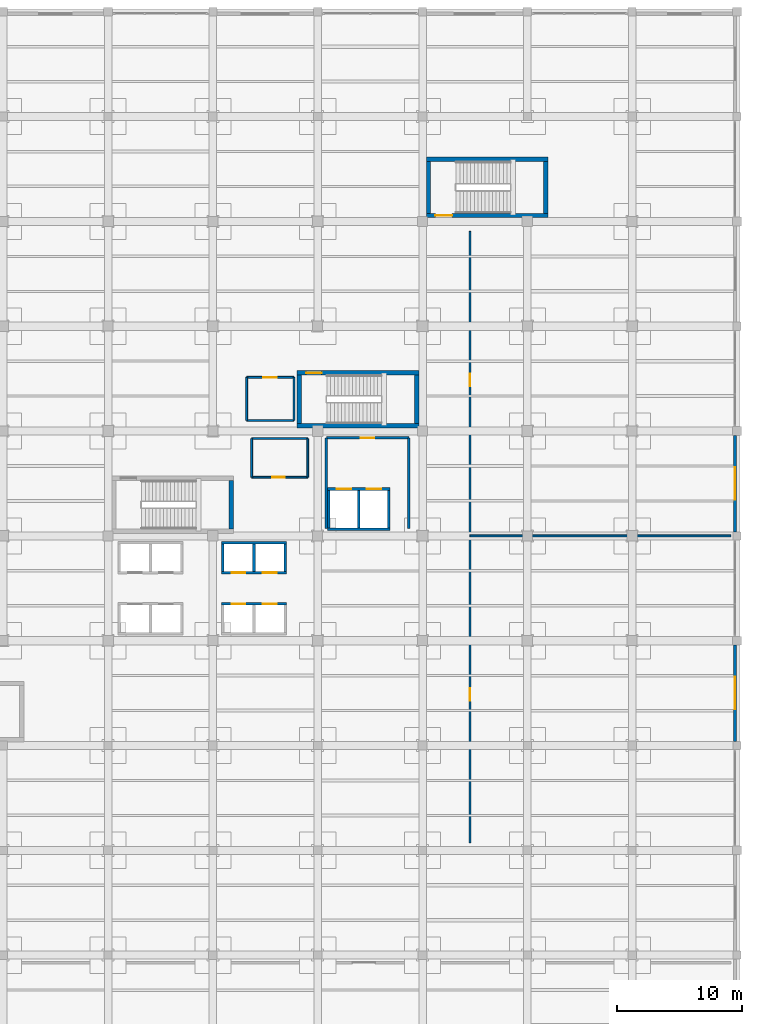
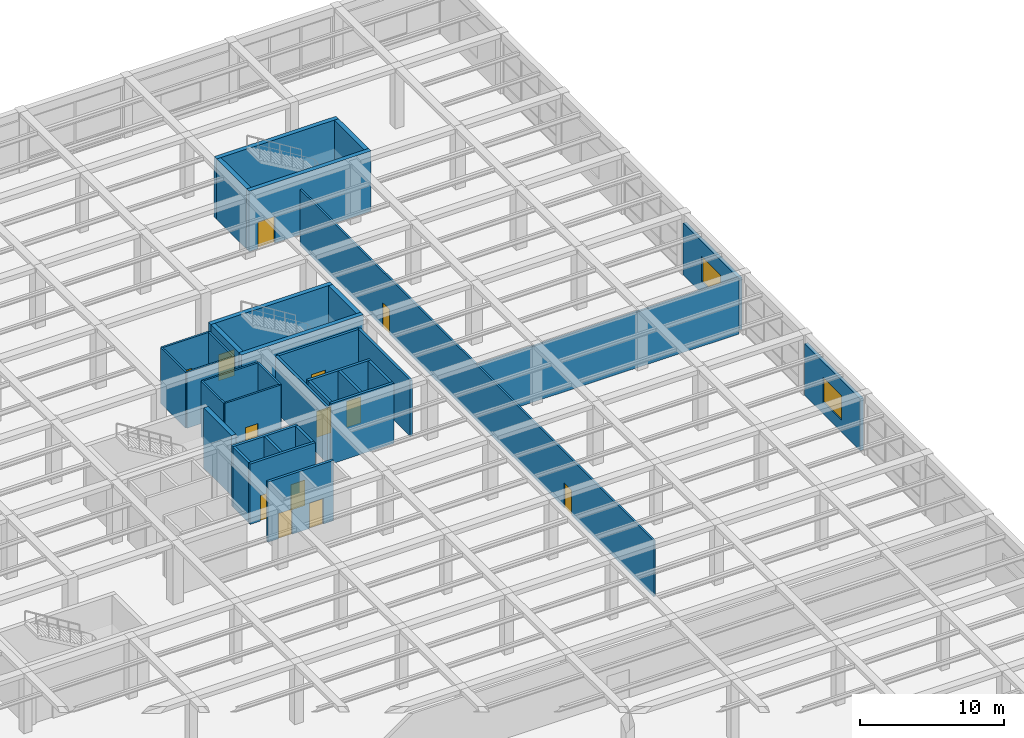
# One storey, part 82 of 95: 35 walls, 13 doors, 2 windows, 15 openings.
"""IFC4 building model written with IfcOpenShell, lengths in metres."""

from ifc_helpers import new_model, si_unit, direction, frame, frame_2d, origin, place, context, subcontext, project, spatial, rectangle, extrude, material, layer, layer_set, type_object, element, fill, save


model = new_model("IFC4")

# Units and contexts
model_context = context("Model", 3, precision=1e-05, world=origin(), true_north=direction((0.0, 1.0)))
body_context = subcontext(model_context, "Body", "Model", "MODEL_VIEW")
ifc_project = project(units=[si_unit("LENGTHUNIT", "METRE"), si_unit("AREAUNIT", "SQUARE_METRE"), si_unit("VOLUMEUNIT", "CUBIC_METRE"), si_unit("PLANEANGLEUNIT", "RADIAN"), si_unit("MASSUNIT", "GRAM", prefix="KILO")], contexts=[model_context])

# Site, building, storey
site_placement = place(None, origin())
site = spatial("IfcSite", under=ifc_project, at=site_placement, CompositionType="ELEMENT")
building_placement = place(site_placement, origin())
building = spatial("IfcBuilding", under=site, at=building_placement, Name="Almacenes y Pasaje Nevantli", CompositionType="ELEMENT")
storey_placement = place(building_placement, frame((0.0, 0.0, 11.39990234375)))
storey = spatial("IfcBuildingStorey", under=building, at=storey_placement, Name="L03", CompositionType="ELEMENT", Elevation=11.39990234375)

# Wall, opening, door
ifc_material_1 = material(Name="Fire-Rated Concrete Blockwork", Category="masonry")
ifc_layer_1 = layer(ifc_material_1, 0.199951171875)
ifc_layer_set_1 = layer_set([ifc_layer_1], Name="Fire-Rated Concrete Blockwork")
wall_type_1 = type_object("IfcWallType", Name="WL-COMP-200", PredefinedType="PARTITIONING", material=ifc_layer_set_1)
wall_1_placement = place(storey_placement, frame((135.10009765625, 83.449951171875, 0.0), z_axis=(0.0, 0.0, 1.0), x_axis=(1.0, 0.0, 0.0)))
wall_1 = element("IfcWall", 1, at=wall_1_placement, inside=storey, type_object=wall_type_1, Name="L03 Interior Partition Wall IW-200 #68", PredefinedType="PARTITIONING", context=body_context, shape_type="SweptSolid", body=[
    extrude(rectangle(XDim=6.599853515625, YDim=0.199951171875, at=frame_2d((3.2998046875, 0.0))), origin(), (0.0, 0.0, 1.0), 4.72021484375),
])
opening_1_placement = place(wall_1_placement, frame((2.75, 0.0, 0.0)))
opening_1 = element("IfcOpeningElement", 2, at=opening_1_placement, cuts=wall_1, Name="Opening ID-L03-034", PredefinedType="OPENING", context=body_context, shape_type="SweptSolid", body=[
    extrude(rectangle(XDim=1.10009765625, YDim=2.199951171875, at=frame_2d((0.550048828125, 1.10009765625))), frame((0.0, 0.10986328125, 0.0), z_axis=(0.0, -1.0, 0.0), x_axis=(1.0, 0.0, 0.0)), (0.0, 0.0, 1.0), 0.219970703125),
])
ifc_material_2 = material(Name="Galvanized Fire-Rated Steel", Category="steel")
door_type_1 = type_object("IfcDoorType", Name="DR-FD90-1100R", OperationType="SINGLE_SWING_RIGHT", PredefinedType="DOOR", material=ifc_material_2)
door_1_placement = place(opening_1_placement, origin())
door_1 = element("IfcDoor", 3, at=door_1_placement, inside=storey, type_object=door_type_1, Name="L03 Firefighting Lobby Door", OperationType="SINGLE_SWING_RIGHT", OverallHeight=2.199951171875, OverallWidth=1.10009765625, PredefinedType="DOOR", context=body_context, shape_type="SweptSolid", body=[
    extrude(rectangle(XDim=1.10009765625, YDim=2.199951171875, at=frame_2d((0.550048828125, 1.10009765625))), frame((0.0, 0.02490234375, 0.0), z_axis=(0.0, -1.0, 0.0), x_axis=(1.0, 0.0, 0.0)), (0.0, 0.0, 1.0), 0.050048828125),
])
fill(opening_1, door_1)

# Walls
for number, where, z_axis, x_axis, name in (
    (4, (135.10009765625, 76.199951171875, 0.0), (0.0, 0.0, 1.0), (0.0, 1.0, 0.0), "L03 Interior Partition Wall IW-200 #69"),
    (5, (141.699951171875, 76.199951171875, 0.0), (0.0, 0.0, 1.0), (0.0, 1.0, 0.0), "L03 Interior Partition Wall IW-200 #70"),
):
    element("IfcWall", number, at=place(storey_placement, frame(where, z_axis=z_axis, x_axis=x_axis)), inside=storey, type_object=wall_type_1, Name=name, PredefinedType="PARTITIONING", context=body_context, shape_type="SweptSolid", body=[
        extrude(rectangle(XDim=7.25, YDim=0.199951171875, at=frame_2d((3.625, 0.0))), origin(), (0.0, 0.0, 1.0), 4.72021484375),
    ])
ifc_material_3 = material(Name="Concrete C45/55", Category="concrete")
ifc_layer_2 = layer(ifc_material_3, 0.35009765625)
ifc_layer_set_2 = layer_set([ifc_layer_2], Name="Concrete C45/55")
wall_type_2 = type_object("IfcWallType", Name="WL-CORE-350", PredefinedType="SHEAR", material=ifc_layer_set_2)
wall_2_placement = place(storey_placement, frame((127.47509765625, 76.14990234375, 0.0), z_axis=(0.0, 0.0, 1.0), x_axis=(0.0, 1.0, 0.0)))
element("IfcWall", 6, at=wall_2_placement, inside=storey, type_object=wall_type_2, Name="L03 Exit Stair ST-01 East Core Shear Wall", PredefinedType="SHEAR", context=body_context, shape_type="SweptSolid", body=[
    extrude(rectangle(XDim=3.89013671875, YDim=0.35009765625, at=frame_2d((1.945068359375, 0.0))), origin(), (0.0, 0.0, 1.0), 5.10009765625),
])
wall_3_placement = place(storey_placement, frame((132.75, 84.425048828125, 0.0), z_axis=(0.0, 0.0, 1.0), x_axis=(1.0, 0.0, 0.0)))
element("IfcWall", 7, at=wall_3_placement, inside=storey, type_object=wall_type_2, Name="L03 Exit Stair ST-02 South Core Shear Wall", PredefinedType="SHEAR", context=body_context, shape_type="SweptSolid", body=[
    extrude(rectangle(XDim=9.75, YDim=0.35009765625, at=frame_2d((4.875, 0.0))), origin(), (0.0, 0.0, 1.0), 5.10009765625),
])

# Wall, opening, door
wall_4_placement = place(storey_placement, frame((132.75, 88.6650390625, 0.0), z_axis=(0.0, 0.0, 1.0), x_axis=(1.0, 0.0, 0.0)))
wall_4 = element("IfcWall", 8, at=wall_4_placement, inside=storey, type_object=wall_type_2, Name="L03 Exit Stair ST-02 North Core Shear Wall", PredefinedType="SHEAR", context=body_context, shape_type="SweptSolid", body=[
    extrude(rectangle(XDim=9.75, YDim=0.35009765625, at=frame_2d((4.875, 0.0))), origin(), (0.0, 0.0, 1.0), 5.10009765625),
])
opening_2_placement = place(wall_4_placement, frame((0.719970703125, 0.0, 0.0)))
opening_2 = element("IfcOpeningElement", 9, at=opening_2_placement, cuts=wall_4, Name="Opening SD-02-L03", PredefinedType="OPENING", context=body_context, shape_type="SweptSolid", body=[
    extrude(rectangle(XDim=1.25, YDim=2.199951171875, at=frame_2d((0.625, 1.10009765625))), frame((0.0, 0.18505859375, 0.0), z_axis=(0.0, -1.0, 0.0), x_axis=(1.0, 0.0, 0.0)), (0.0, 0.0, 1.0), 0.3701171875),
])
ifc_material_4 = material(Name="Galvanized Fire-Rated Steel", Category="steel")
door_type_2 = type_object("IfcDoorType", Name="DR-STAIR-1250R", OperationType="SINGLE_SWING_RIGHT", PredefinedType="DOOR", material=ifc_material_4)
door_2_placement = place(opening_2_placement, origin())
door_2 = element("IfcDoor", 10, at=door_2_placement, inside=storey, type_object=door_type_2, Name="L03 Smokeproof Exit Stair ST-02 Fire Door", OperationType="SINGLE_SWING_RIGHT", OverallHeight=2.199951171875, OverallWidth=1.25, PredefinedType="DOOR", context=body_context, shape_type="SweptSolid", body=[
    extrude(rectangle(XDim=1.25, YDim=2.199951171875, at=frame_2d((0.625, 1.10009765625))), frame((0.0, 0.02490234375, 0.0), z_axis=(0.0, -1.0, 0.0), x_axis=(1.0, 0.0, 0.0)), (0.0, 0.0, 1.0), 0.050048828125),
])
fill(opening_2, door_2)

# Walls
for number, where, z_axis, x_axis, name in (
    (11, (132.925048828125, 84.60009765625, 0.0), (0.0, 0.0, 1.0), (0.0, 1.0, 0.0), "L03 Exit Stair ST-02 West Core Shear Wall"),
    (12, (142.324951171875, 84.60009765625, 0.0), (0.0, 0.0, 1.0), (0.0, 1.0, 0.0), "L03 Exit Stair ST-02 East Core Shear Wall"),
):
    element("IfcWall", number, at=place(storey_placement, frame(where, z_axis=z_axis, x_axis=x_axis)), inside=storey, type_object=wall_type_2, Name=name, PredefinedType="SHEAR", context=body_context, shape_type="SweptSolid", body=[
        extrude(rectangle(XDim=3.889892578125, YDim=0.35009765625, at=frame_2d((1.94482421875, 0.0))), origin(), (0.0, 0.0, 1.0), 5.10009765625),
    ])

# Wall, opening, door
wall_5_placement = place(storey_placement, frame((143.10009765625, 101.27490234375, 0.0), z_axis=(0.0, 0.0, 1.0), x_axis=(1.0, 0.0, 0.0)))
wall_5 = element("IfcWall", 13, at=wall_5_placement, inside=storey, type_object=wall_type_2, Name="L03 Exit Stair ST-07 South Core Shear Wall", PredefinedType="SHEAR", context=body_context, shape_type="SweptSolid", body=[
    extrude(rectangle(XDim=9.75, YDim=0.35009765625, at=frame_2d((4.875, 0.0))), origin(), (0.0, 0.0, 1.0), 5.10009765625),
])
opening_3_placement = place(wall_5_placement, frame((0.719970703125, 0.0, 0.0)))
opening_3 = element("IfcOpeningElement", 14, at=opening_3_placement, cuts=wall_5, Name="Opening SD-07-L03", PredefinedType="OPENING", context=body_context, shape_type="SweptSolid", body=[
    extrude(rectangle(XDim=1.35009765625, YDim=2.25, at=frame_2d((0.675048828125, 1.125))), frame((0.0, 0.18505859375, 0.0), z_axis=(0.0, -1.0, 0.0), x_axis=(1.0, 0.0, 0.0)), (0.0, 0.0, 1.0), 0.3701171875),
])
ifc_material_5 = material(Name="Galvanized Fire-Rated Steel", Category="steel")
door_type_3 = type_object("IfcDoorType", Name="DR-STAIR-1350", OperationType="SINGLE_SWING_LEFT", PredefinedType="DOOR", material=ifc_material_5)
door_3_placement = place(opening_3_placement, origin())
door_3 = element("IfcDoor", 15, at=door_3_placement, inside=storey, type_object=door_type_3, Name="L03 Smokeproof Exit Stair ST-07 Fire Door", OperationType="SINGLE_SWING_LEFT", OverallHeight=2.25, OverallWidth=1.35009765625, PredefinedType="DOOR", context=body_context, shape_type="SweptSolid", body=[
    extrude(rectangle(XDim=1.35009765625, YDim=2.25, at=frame_2d((0.675048828125, 1.125))), frame((0.0, 0.02490234375, 0.0), z_axis=(0.0, -1.0, 0.0), x_axis=(1.0, 0.0, 0.0)), (0.0, 0.0, 1.0), 0.050048828125),
])
fill(opening_3, door_3)

# Walls
wall_6_placement = place(storey_placement, frame((143.10009765625, 105.77490234375, 0.0), z_axis=(0.0, 0.0, 1.0), x_axis=(1.0, 0.0, 0.0)))
element("IfcWall", 16, at=wall_6_placement, inside=storey, type_object=wall_type_2, Name="L03 Exit Stair ST-07 North Core Shear Wall", PredefinedType="SHEAR", context=body_context, shape_type="SweptSolid", body=[
    extrude(rectangle(XDim=9.75, YDim=0.35009765625, at=frame_2d((4.875, 0.0))), origin(), (0.0, 0.0, 1.0), 5.10009765625),
])
for number, where, z_axis, x_axis, name in (
    (17, (143.27490234375, 101.449951171875, 0.0), (0.0, 0.0, 1.0), (0.0, 1.0, 0.0), "L03 Exit Stair ST-07 West Core Shear Wall"),
    (18, (152.675048828125, 101.449951171875, 0.0), (0.0, 0.0, 1.0), (0.0, 1.0, 0.0), "L03 Exit Stair ST-07 East Core Shear Wall"),
):
    element("IfcWall", number, at=place(storey_placement, frame(where, z_axis=z_axis, x_axis=x_axis)), inside=storey, type_object=wall_type_2, Name=name, PredefinedType="SHEAR", context=body_context, shape_type="SweptSolid", body=[
        extrude(rectangle(XDim=4.150146484375, YDim=0.35009765625, at=frame_2d((2.0751953125, 0.0))), origin(), (0.0, 0.0, 1.0), 5.10009765625),
    ])

# Wall, opening, window
ifc_material_6 = material(Name="Cream Architectural Precast Concrete C35/45 Wall", Category="concrete")
ifc_layer_3 = layer(ifc_material_6, 0.260009765625)
ifc_layer_set_3 = layer_set([ifc_layer_3], Name="Cream Architectural Precast Concrete C35/45 Wall")
wall_type_3 = type_object("IfcWallType", Name="WL-EXT-PRECAST-260", PredefinedType="SOLIDWALL", material=ifc_layer_set_3)
wall_7_placement = place(storey_placement, frame((167.85009765625, 59.1279296875, 0.0), z_axis=(0.0, 0.0, 1.0), x_axis=(0.0, 1.0, 0.0)))
wall_7 = element("IfcWall", 19, at=wall_7_placement, inside=storey, type_object=wall_type_3, Name="L03 East Facade Wall Bay 8", PredefinedType="SOLIDWALL", context=body_context, shape_type="SweptSolid", body=[
    extrude(rectangle(XDim=7.719970703125, YDim=0.260009765625, at=frame_2d((3.85986328125, 0.0))), origin(), (0.0, 0.0, 1.0), 4.380126953125),
])
opening_4_placement = place(wall_7_placement, frame((2.572021484375, 0.0, 1.0)))
opening_4 = element("IfcOpeningElement", 20, at=opening_4_placement, cuts=wall_7, Name="Opening WT-13-124", PredefinedType="OPENING", context=body_context, shape_type="SweptSolid", body=[
    extrude(rectangle(XDim=2.60009765625, YDim=2.10009765625, at=frame_2d((1.300048828125, 1.050048828125))), frame((0.0, 0.139892578125, 0.0), z_axis=(0.0, -1.0, 0.0), x_axis=(1.0, 0.0, 0.0)), (0.0, 0.0, 1.0), 0.280029296875),
])
ifc_material_7 = material(Name="Thermally Broken Aluminium and Low-E Double Glazing", Category="aluminium")
window_type = type_object("IfcWindowType", Name="WN-POD-2600x2100", PartitioningType="SINGLE_PANEL", PredefinedType="WINDOW", material=ifc_material_7)
window_1_placement = place(opening_4_placement, origin())
window_1 = element("IfcWindow", 21, at=window_1_placement, inside=storey, type_object=window_type, Name="L03 Exterior Window WT-13 #124", OverallHeight=2.10009765625, OverallWidth=2.60009765625, PartitioningType="SINGLE_PANEL", PredefinedType="WINDOW", context=body_context, shape_type="SweptSolid", body=[
    extrude(rectangle(XDim=2.60009765625, YDim=2.10009765625, at=frame_2d((1.300048828125, 1.050048828125))), frame((0.0, 0.030029296875, 0.0), z_axis=(0.0, -1.0, 0.0), x_axis=(1.0, 0.0, 0.0)), (0.0, 0.0, 1.0), 0.06005859375),
])
fill(opening_4, window_1)

wall_8_placement = place(storey_placement, frame((167.85009765625, 75.927978515625, 0.0), z_axis=(0.0, 0.0, 1.0), x_axis=(0.0, 1.0, 0.0)))
wall_8 = element("IfcWall", 22, at=wall_8_placement, inside=storey, type_object=wall_type_3, Name="L03 East Facade Wall Bay 10", PredefinedType="SOLIDWALL", context=body_context, shape_type="SweptSolid", body=[
    extrude(rectangle(XDim=7.719970703125, YDim=0.260009765625, at=frame_2d((3.85986328125, 0.0))), origin(), (0.0, 0.0, 1.0), 4.380126953125),
])
opening_5_placement = place(wall_8_placement, frame((2.572021484375, 0.0, 1.0)))
opening_5 = element("IfcOpeningElement", 23, at=opening_5_placement, cuts=wall_8, Name="Opening WT-13-125", PredefinedType="OPENING", context=body_context, shape_type="SweptSolid", body=[
    extrude(rectangle(XDim=2.60009765625, YDim=2.10009765625, at=frame_2d((1.300048828125, 1.050048828125))), frame((0.0, 0.139892578125, 0.0), z_axis=(0.0, -1.0, 0.0), x_axis=(1.0, 0.0, 0.0)), (0.0, 0.0, 1.0), 0.280029296875),
])
window_2_placement = place(opening_5_placement, origin())
window_2 = element("IfcWindow", 24, at=window_2_placement, inside=storey, type_object=window_type, Name="L03 Exterior Window WT-13 #125", OverallHeight=2.10009765625, OverallWidth=2.60009765625, PartitioningType="SINGLE_PANEL", PredefinedType="WINDOW", context=body_context, shape_type="SweptSolid", body=[
    extrude(rectangle(XDim=2.60009765625, YDim=2.10009765625, at=frame_2d((1.300048828125, 1.050048828125))), frame((0.0, 0.030029296875, 0.0), z_axis=(0.0, -1.0, 0.0), x_axis=(1.0, 0.0, 0.0)), (0.0, 0.0, 1.0), 0.06005859375),
])
fill(opening_5, window_2)

# Wall, opening, door
ifc_material_8 = material(Name="Acoustic Steel-Stud Gypsum Partition", Category="steel")
ifc_layer_4 = layer(ifc_material_8, 0.14990234375)
ifc_layer_set_4 = layer_set([ifc_layer_4], Name="Acoustic Steel-Stud Gypsum Partition")
wall_type_4 = type_object("IfcWallType", Name="WL-PART-150", PredefinedType="PARTITIONING", material=ifc_layer_set_4)
wall_9_placement = place(storey_placement, frame((129.10009765625, 80.300048828125, 0.0), z_axis=(0.0, 0.0, 1.0), x_axis=(1.0, 0.0, 0.0)))
wall_9 = element("IfcWall", 25, at=wall_9_placement, inside=storey, type_object=wall_type_4, Name="L03 Interior Partition Wall IW-150 #71", PredefinedType="PARTITIONING", context=body_context, shape_type="SweptSolid", body=[
    extrude(rectangle(XDim=4.5, YDim=0.14990234375, at=frame_2d((2.25, 0.0))), origin(), (0.0, 0.0, 1.0), 4.72021484375),
])
opening_6_placement = place(wall_9_placement, frame((1.64990234375, 0.0, 0.0)))
opening_6 = element("IfcOpeningElement", 26, at=opening_6_placement, cuts=wall_9, Name="Opening ID-L03-035", PredefinedType="OPENING", context=body_context, shape_type="SweptSolid", body=[
    extrude(rectangle(XDim=1.0, YDim=2.10009765625, at=frame_2d((0.5, 1.050048828125))), frame((0.0, 0.0849609375, 0.0), z_axis=(0.0, -1.0, 0.0), x_axis=(1.0, 0.0, 0.0)), (0.0, 0.0, 1.0), 0.169921875),
])
ifc_material_9 = material(Name="Powder-Coated Hollow Metal", Category="steel")
door_type_4 = type_object("IfcDoorType", Name="DR-INT-1000", OperationType="SINGLE_SWING_LEFT", PredefinedType="DOOR", material=ifc_material_9)
door_4_placement = place(opening_6_placement, origin())
door_4 = element("IfcDoor", 27, at=door_4_placement, inside=storey, type_object=door_type_4, Name="L03 Staff and Public WC Door", OperationType="SINGLE_SWING_LEFT", OverallHeight=2.10009765625, OverallWidth=1.0, PredefinedType="DOOR", context=body_context, shape_type="SweptSolid", body=[
    extrude(rectangle(XDim=1.0, YDim=2.10009765625, at=frame_2d((0.5, 1.050048828125))), frame((0.0, 0.02490234375, 0.0), z_axis=(0.0, -1.0, 0.0), x_axis=(1.0, 0.0, 0.0)), (0.0, 0.0, 1.0), 0.050048828125),
])
fill(opening_6, door_4)

# Walls
wall_10_placement = place(storey_placement, frame((129.10009765625, 83.39990234375, 0.0), z_axis=(0.0, 0.0, 1.0), x_axis=(1.0, 0.0, 0.0)))
element("IfcWall", 28, at=wall_10_placement, inside=storey, type_object=wall_type_4, Name="L03 Interior Partition Wall IW-150 #72", PredefinedType="PARTITIONING", context=body_context, shape_type="SweptSolid", body=[
    extrude(rectangle(XDim=4.5, YDim=0.14990234375, at=frame_2d((2.25, 0.0))), origin(), (0.0, 0.0, 1.0), 4.72021484375),
])
for number, where, z_axis, x_axis, name in (
    (29, (129.10009765625, 80.300048828125, 0.0), (0.0, 0.0, 1.0), (0.0, 1.0, 0.0), "L03 Interior Partition Wall IW-150 #73"),
    (30, (133.60009765625, 80.300048828125, 0.0), (0.0, 0.0, 1.0), (0.0, 1.0, 0.0), "L03 Interior Partition Wall IW-150 #74"),
):
    element("IfcWall", number, at=place(storey_placement, frame(where, z_axis=z_axis, x_axis=x_axis)), inside=storey, type_object=wall_type_4, Name=name, PredefinedType="PARTITIONING", context=body_context, shape_type="SweptSolid", body=[
        extrude(rectangle(XDim=3.099853515625, YDim=0.14990234375, at=frame_2d((1.5498046875, 0.0))), origin(), (0.0, 0.0, 1.0), 4.72021484375),
    ])

# Wall, opening, door
wall_11_placement = place(storey_placement, frame((128.699951171875, 88.300048828125, 0.0), z_axis=(0.0, 0.0, 1.0), x_axis=(1.0, 0.0, 0.0)))
wall_11 = element("IfcWall", 31, at=wall_11_placement, inside=storey, type_object=wall_type_4, Name="L03 Interior Partition Wall IW-150 #75", PredefinedType="PARTITIONING", context=body_context, shape_type="SweptSolid", body=[
    extrude(rectangle(XDim=3.800048828125, YDim=0.14990234375, at=frame_2d((1.89990234375, 0.0))), origin(), (0.0, 0.0, 1.0), 4.72021484375),
])
opening_7_placement = place(wall_11_placement, frame((1.35009765625, 0.0, 0.0)))
opening_7 = element("IfcOpeningElement", 32, at=opening_7_placement, cuts=wall_11, Name="Opening ID-L03-036", PredefinedType="OPENING", context=body_context, shape_type="SweptSolid", body=[
    extrude(rectangle(XDim=1.050048828125, YDim=2.14990234375, at=frame_2d((0.52490234375, 1.074951171875))), frame((0.0, 0.0849609375, 0.0), z_axis=(0.0, -1.0, 0.0), x_axis=(1.0, 0.0, 0.0)), (0.0, 0.0, 1.0), 0.169921875),
])
ifc_material_10 = material(Name="Powder-Coated Hollow Metal", Category="steel")
door_type_5 = type_object("IfcDoorType", Name="DR-ACC-1050", OperationType="SINGLE_SWING_RIGHT", PredefinedType="DOOR", material=ifc_material_10)
door_5_placement = place(opening_7_placement, origin())
door_5 = element("IfcDoor", 33, at=door_5_placement, inside=storey, type_object=door_type_5, Name="L03 Accessible WC Door", OperationType="SINGLE_SWING_RIGHT", OverallHeight=2.14990234375, OverallWidth=1.050048828125, PredefinedType="DOOR", context=body_context, shape_type="SweptSolid", body=[
    extrude(rectangle(XDim=1.050048828125, YDim=2.14990234375, at=frame_2d((0.52490234375, 1.074951171875))), frame((0.0, 0.02490234375, 0.0), z_axis=(0.0, -1.0, 0.0), x_axis=(1.0, 0.0, 0.0)), (0.0, 0.0, 1.0), 0.050048828125),
])
fill(opening_7, door_5)

# Walls
wall_12_placement = place(storey_placement, frame((128.699951171875, 84.85009765625, 0.0), z_axis=(0.0, 0.0, 1.0), x_axis=(1.0, 0.0, 0.0)))
element("IfcWall", 34, at=wall_12_placement, inside=storey, type_object=wall_type_4, Name="L03 Interior Partition Wall IW-150 #76", PredefinedType="PARTITIONING", context=body_context, shape_type="SweptSolid", body=[
    extrude(rectangle(XDim=3.800048828125, YDim=0.14990234375, at=frame_2d((1.89990234375, 0.0))), origin(), (0.0, 0.0, 1.0), 4.72021484375),
])
for number, where, z_axis, x_axis, name in (
    (35, (128.699951171875, 84.85009765625, 0.0), (0.0, 0.0, 1.0), (0.0, 1.0, 0.0), "L03 Interior Partition Wall IW-150 #77"),
    (36, (132.5, 84.85009765625, 0.0), (0.0, 0.0, 1.0), (0.0, 1.0, 0.0), "L03 Interior Partition Wall IW-150 #78"),
):
    element("IfcWall", number, at=place(storey_placement, frame(where, z_axis=z_axis, x_axis=x_axis)), inside=storey, type_object=wall_type_4, Name=name, PredefinedType="PARTITIONING", context=body_context, shape_type="SweptSolid", body=[
        extrude(rectangle(XDim=3.449951171875, YDim=0.14990234375, at=frame_2d((1.72509765625, 0.0))), origin(), (0.0, 0.0, 1.0), 4.72021484375),
    ])

# Wall, openings, doors
wall_13_placement = place(storey_placement, frame((146.60009765625, 51.0, 0.0), z_axis=(0.0, 0.0, 1.0), x_axis=(0.0, 1.0, 0.0)))
wall_13 = element("IfcWall", 37, at=wall_13_placement, inside=storey, type_object=wall_type_4, Name="L03 Interior Partition Wall IW-150 #80", PredefinedType="PARTITIONING", context=body_context, shape_type="SweptSolid", body=[
    extrude(rectangle(XDim=49.0, YDim=0.14990234375, at=frame_2d((24.5, 0.0))), origin(), (0.0, 0.0, 1.0), 4.72021484375),
])
opening_8_placement = place(wall_13_placement, frame((11.39990234375, 0.0, 0.0)))
opening_8 = element("IfcOpeningElement", 38, at=opening_8_placement, cuts=wall_13, Name="Opening ID-L03-039", PredefinedType="OPENING", context=body_context, shape_type="SweptSolid", body=[
    extrude(rectangle(XDim=1.0, YDim=2.10009765625, at=frame_2d((0.5, 1.050048828125))), frame((0.0, 0.0849609375, 0.0), z_axis=(0.0, -1.0, 0.0), x_axis=(1.0, 0.0, 0.0)), (0.0, 0.0, 1.0), 0.169921875),
])
opening_9_placement = place(wall_13_placement, frame((36.60009765625, 0.0, 0.0)))
opening_9 = element("IfcOpeningElement", 39, at=opening_9_placement, cuts=wall_13, Name="Opening ID-L03-040", PredefinedType="OPENING", context=body_context, shape_type="SweptSolid", body=[
    extrude(rectangle(XDim=1.0, YDim=2.10009765625, at=frame_2d((0.5, 1.050048828125))), frame((0.0, 0.0849609375, 0.0), z_axis=(0.0, -1.0, 0.0), x_axis=(1.0, 0.0, 0.0)), (0.0, 0.0, 1.0), 0.169921875),
])
door_6_placement = place(opening_8_placement, origin())
door_6 = element("IfcDoor", 40, at=door_6_placement, inside=storey, type_object=door_type_4, Name="L03 L03 Operations Office Door", OperationType="SINGLE_SWING_LEFT", OverallHeight=2.10009765625, OverallWidth=1.0, PredefinedType="DOOR", context=body_context, shape_type="SweptSolid", body=[
    extrude(rectangle(XDim=1.0, YDim=2.10009765625, at=frame_2d((0.5, 1.050048828125))), frame((0.0, 0.02490234375, 0.0), z_axis=(0.0, -1.0, 0.0), x_axis=(1.0, 0.0, 0.0)), (0.0, 0.0, 1.0), 0.050048828125),
])
fill(opening_8, door_6)
ifc_material_11 = material(Name="Powder-Coated Hollow Metal", Category="steel")
door_type_6 = type_object("IfcDoorType", Name="DR-INT-1000R", OperationType="SINGLE_SWING_RIGHT", PredefinedType="DOOR", material=ifc_material_11)
door_7_placement = place(opening_9_placement, origin())
door_7 = element("IfcDoor", 41, at=door_7_placement, inside=storey, type_object=door_type_6, Name="L03 L03 Merchandising Office Door", OperationType="SINGLE_SWING_RIGHT", OverallHeight=2.10009765625, OverallWidth=1.0, PredefinedType="DOOR", context=body_context, shape_type="SweptSolid", body=[
    extrude(rectangle(XDim=1.0, YDim=2.10009765625, at=frame_2d((0.5, 1.050048828125))), frame((0.0, 0.02490234375, 0.0), z_axis=(0.0, -1.0, 0.0), x_axis=(1.0, 0.0, 0.0)), (0.0, 0.0, 1.0), 0.050048828125),
])
fill(opening_9, door_7)

# Wall
wall_14_placement = place(storey_placement, frame((146.60009765625, 75.60009765625, 0.0), z_axis=(0.0, 0.0, 1.0), x_axis=(1.0, 0.0, 0.0)))
element("IfcWall", 42, at=wall_14_placement, inside=storey, type_object=wall_type_4, Name="L03 Interior Partition Wall IW-150 #81", PredefinedType="PARTITIONING", context=body_context, shape_type="SweptSolid", body=[
    extrude(rectangle(XDim=20.89990234375, YDim=0.14990234375, at=frame_2d((10.449951171875, 0.0))), origin(), (0.0, 0.0, 1.0), 4.72021484375),
])

# Wall, openings, doors
ifc_material_12 = material(Name="Concrete C45/55", Category="concrete")
ifc_layer_5 = layer(ifc_material_12, 0.2099609375)
ifc_layer_set_5 = layer_set([ifc_layer_5], Name="Concrete C45/55")
wall_type_5 = type_object("IfcWallType", Name="WL-SHAFT-210", PredefinedType="SHEAR", material=ifc_layer_set_5)
wall_15_placement = place(storey_placement, frame((126.68994140625, 70.155029296875, 0.0), z_axis=(0.0, 0.0, 1.0), x_axis=(1.0, 0.0, 0.0)))
wall_15 = element("IfcWall", 43, at=wall_15_placement, inside=storey, type_object=wall_type_5, Name="L03 Lift Hoistway ELV-P01-ELV-P02 North Wall", PredefinedType="SHEAR", context=body_context, shape_type="SweptSolid", body=[
    extrude(rectangle(XDim=5.219970703125, YDim=0.2099609375, at=frame_2d((2.60986328125, 0.0))), origin(), (0.0, 0.0, 1.0), 5.10009765625),
])
opening_10_placement = place(wall_15_placement, frame((0.81005859375, 0.0, 0.0)))
opening_10 = element("IfcOpeningElement", 44, at=opening_10_placement, cuts=wall_15, Name="Opening LD-P01-L03", PredefinedType="OPENING", context=body_context, shape_type="SweptSolid", body=[
    extrude(rectangle(XDim=1.10009765625, YDim=2.14990234375, at=frame_2d((0.550048828125, 1.074951171875))), frame((0.0, 0.114990234375, 0.0), z_axis=(0.0, -1.0, 0.0), x_axis=(1.0, 0.0, 0.0)), (0.0, 0.0, 1.0), 0.22998046875),
])
opening_11_placement = place(wall_15_placement, frame((3.31005859375, 0.0, 0.0)))
opening_11 = element("IfcOpeningElement", 45, at=opening_11_placement, cuts=wall_15, Name="Opening LD-P02-L03", PredefinedType="OPENING", context=body_context, shape_type="SweptSolid", body=[
    extrude(rectangle(XDim=1.10009765625, YDim=2.14990234375, at=frame_2d((0.550048828125, 1.074951171875))), frame((0.0, 0.114990234375, 0.0), z_axis=(0.0, -1.0, 0.0), x_axis=(1.0, 0.0, 0.0)), (0.0, 0.0, 1.0), 0.22998046875),
])
ifc_material_13 = material(Name="Brushed Stainless Steel", Category="steel")
door_type_7 = type_object("IfcDoorType", Name="DR-LD-PASS-1100", OperationType="DOUBLE_DOOR_SLIDING", PredefinedType="DOOR", material=ifc_material_13)
door_8_placement = place(opening_10_placement, origin())
door_8 = element("IfcDoor", 46, at=door_8_placement, inside=storey, type_object=door_type_7, Name="Lift Landing Door ELV-P01 L03", OperationType="DOUBLE_DOOR_SLIDING", OverallHeight=2.14990234375, OverallWidth=1.10009765625, PredefinedType="DOOR", context=body_context, shape_type="SweptSolid", body=[
    extrude(rectangle(XDim=1.10009765625, YDim=2.14990234375, at=frame_2d((0.550048828125, 1.074951171875))), frame((0.0, 0.02490234375, 0.0), z_axis=(0.0, -1.0, 0.0), x_axis=(1.0, 0.0, 0.0)), (0.0, 0.0, 1.0), 0.050048828125),
])
fill(opening_10, door_8)
door_9_placement = place(opening_11_placement, origin())
door_9 = element("IfcDoor", 47, at=door_9_placement, inside=storey, type_object=door_type_7, Name="Lift Landing Door ELV-P02 L03", OperationType="DOUBLE_DOOR_SLIDING", OverallHeight=2.14990234375, OverallWidth=1.10009765625, PredefinedType="DOOR", context=body_context, shape_type="SweptSolid", body=[
    extrude(rectangle(XDim=1.10009765625, YDim=2.14990234375, at=frame_2d((0.550048828125, 1.074951171875))), frame((0.0, 0.02490234375, 0.0), z_axis=(0.0, -1.0, 0.0), x_axis=(1.0, 0.0, 0.0)), (0.0, 0.0, 1.0), 0.050048828125),
])
fill(opening_11, door_9)

wall_16_placement = place(storey_placement, frame((126.68994140625, 72.64501953125, 0.0), z_axis=(0.0, 0.0, 1.0), x_axis=(1.0, 0.0, 0.0)))
wall_16 = element("IfcWall", 48, at=wall_16_placement, inside=storey, type_object=wall_type_5, Name="L03 Lift Hoistway ELV-P03-ELV-P04 South Wall", PredefinedType="SHEAR", context=body_context, shape_type="SweptSolid", body=[
    extrude(rectangle(XDim=5.219970703125, YDim=0.2099609375, at=frame_2d((2.60986328125, 0.0))), origin(), (0.0, 0.0, 1.0), 5.10009765625),
])
opening_12_placement = place(wall_16_placement, frame((0.81005859375, 0.0, 0.0)))
opening_12 = element("IfcOpeningElement", 49, at=opening_12_placement, cuts=wall_16, Name="Opening LD-P03-L03", PredefinedType="OPENING", context=body_context, shape_type="SweptSolid", body=[
    extrude(rectangle(XDim=1.10009765625, YDim=2.14990234375, at=frame_2d((0.550048828125, 1.074951171875))), frame((0.0, 0.114990234375, 0.0), z_axis=(0.0, -1.0, 0.0), x_axis=(1.0, 0.0, 0.0)), (0.0, 0.0, 1.0), 0.22998046875),
])
opening_13_placement = place(wall_16_placement, frame((3.31005859375, 0.0, 0.0)))
opening_13 = element("IfcOpeningElement", 50, at=opening_13_placement, cuts=wall_16, Name="Opening LD-P04-L03", PredefinedType="OPENING", context=body_context, shape_type="SweptSolid", body=[
    extrude(rectangle(XDim=1.10009765625, YDim=2.14990234375, at=frame_2d((0.550048828125, 1.074951171875))), frame((0.0, 0.114990234375, 0.0), z_axis=(0.0, -1.0, 0.0), x_axis=(1.0, 0.0, 0.0)), (0.0, 0.0, 1.0), 0.22998046875),
])
door_10_placement = place(opening_12_placement, origin())
door_10 = element("IfcDoor", 51, at=door_10_placement, inside=storey, type_object=door_type_7, Name="Lift Landing Door ELV-P03 L03", OperationType="DOUBLE_DOOR_SLIDING", OverallHeight=2.14990234375, OverallWidth=1.10009765625, PredefinedType="DOOR", context=body_context, shape_type="SweptSolid", body=[
    extrude(rectangle(XDim=1.10009765625, YDim=2.14990234375, at=frame_2d((0.550048828125, 1.074951171875))), frame((0.0, 0.02490234375, 0.0), z_axis=(0.0, -1.0, 0.0), x_axis=(1.0, 0.0, 0.0)), (0.0, 0.0, 1.0), 0.050048828125),
])
fill(opening_12, door_10)
door_11_placement = place(opening_13_placement, origin())
door_11 = element("IfcDoor", 52, at=door_11_placement, inside=storey, type_object=door_type_7, Name="Lift Landing Door ELV-P04 L03", OperationType="DOUBLE_DOOR_SLIDING", OverallHeight=2.14990234375, OverallWidth=1.10009765625, PredefinedType="DOOR", context=body_context, shape_type="SweptSolid", body=[
    extrude(rectangle(XDim=1.10009765625, YDim=2.14990234375, at=frame_2d((0.550048828125, 1.074951171875))), frame((0.0, 0.02490234375, 0.0), z_axis=(0.0, -1.0, 0.0), x_axis=(1.0, 0.0, 0.0)), (0.0, 0.0, 1.0), 0.050048828125),
])
fill(opening_13, door_11)

# Walls
wall_17_placement = place(storey_placement, frame((126.68994140625, 75.054931640625, 0.0), z_axis=(0.0, 0.0, 1.0), x_axis=(1.0, 0.0, 0.0)))
element("IfcWall", 53, at=wall_17_placement, inside=storey, type_object=wall_type_5, Name="L03 Lift Hoistway ELV-P03-ELV-P04 North Wall", PredefinedType="SHEAR", context=body_context, shape_type="SweptSolid", body=[
    extrude(rectangle(XDim=5.219970703125, YDim=0.2099609375, at=frame_2d((2.60986328125, 0.0))), origin(), (0.0, 0.0, 1.0), 5.10009765625),
])
for number, where, z_axis, x_axis, name in (
    (54, (126.794921875, 72.75, 0.0), (0.0, 0.0, 1.0), (0.0, 1.0, 0.0), "L03 Lift Hoistway ELV-P03 West Wall"),
    (55, (131.804931640625, 72.75, 0.0), (0.0, 0.0, 1.0), (0.0, 1.0, 0.0), "L03 Lift Hoistway ELV-P04 East Wall"),
    (56, (129.300048828125, 72.75, 0.0), (0.0, 0.0, 1.0), (0.0, 1.0, 0.0), "L03 Lift Hoistway Divider Wall ELV-P03/ELV-P04"),
):
    element("IfcWall", number, at=place(storey_placement, frame(where, z_axis=z_axis, x_axis=x_axis)), inside=storey, type_object=wall_type_5, Name=name, PredefinedType="SHEAR", context=body_context, shape_type="SweptSolid", body=[
        extrude(rectangle(XDim=2.199951171875, YDim=0.2099609375, at=frame_2d((1.10009765625, 0.0))), origin(), (0.0, 0.0, 1.0), 5.10009765625),
    ])
wall_18_placement = place(storey_placement, frame((135.18994140625, 76.14501953125, 0.0), z_axis=(0.0, 0.0, 1.0), x_axis=(1.0, 0.0, 0.0)))
element("IfcWall", 57, at=wall_18_placement, inside=storey, type_object=wall_type_5, Name="L03 Lift Hoistway ELV-FF1-ELV-FF2 South Wall", PredefinedType="SHEAR", context=body_context, shape_type="SweptSolid", body=[
    extrude(rectangle(XDim=5.02001953125, YDim=0.2099609375, at=frame_2d((2.510009765625, 0.0))), origin(), (0.0, 0.0, 1.0), 5.10009765625),
])

# Wall, openings, doors
wall_19_placement = place(storey_placement, frame((135.18994140625, 79.35498046875, 0.0), z_axis=(0.0, 0.0, 1.0), x_axis=(1.0, 0.0, 0.0)))
wall_19 = element("IfcWall", 58, at=wall_19_placement, inside=storey, type_object=wall_type_5, Name="L03 Lift Hoistway ELV-FF1-ELV-FF2 North Wall", PredefinedType="SHEAR", context=body_context, shape_type="SweptSolid", body=[
    extrude(rectangle(XDim=5.02001953125, YDim=0.2099609375, at=frame_2d((2.510009765625, 0.0))), origin(), (0.0, 0.0, 1.0), 5.10009765625),
])
opening_14_placement = place(wall_19_placement, frame((0.735107421875, 0.0, 0.0)))
opening_14 = element("IfcOpeningElement", 59, at=opening_14_placement, cuts=wall_19, Name="Opening LD-FF1-L03", PredefinedType="OPENING", context=body_context, shape_type="SweptSolid", body=[
    extrude(rectangle(XDim=1.14990234375, YDim=2.199951171875, at=frame_2d((0.574951171875, 1.10009765625))), frame((0.0, 0.114990234375, 0.0), z_axis=(0.0, -1.0, 0.0), x_axis=(1.0, 0.0, 0.0)), (0.0, 0.0, 1.0), 0.22998046875),
])
opening_15_placement = place(wall_19_placement, frame((3.135009765625, 0.0, 0.0)))
opening_15 = element("IfcOpeningElement", 60, at=opening_15_placement, cuts=wall_19, Name="Opening LD-FF2-L03", PredefinedType="OPENING", context=body_context, shape_type="SweptSolid", body=[
    extrude(rectangle(XDim=1.14990234375, YDim=2.199951171875, at=frame_2d((0.574951171875, 1.10009765625))), frame((0.0, 0.114990234375, 0.0), z_axis=(0.0, -1.0, 0.0), x_axis=(1.0, 0.0, 0.0)), (0.0, 0.0, 1.0), 0.22998046875),
])
ifc_material_14 = material(Name="Fire-Rated Stainless Steel", Category="steel")
door_type_8 = type_object("IfcDoorType", Name="DR-LD-FF-1150", OperationType="DOUBLE_DOOR_SLIDING", PredefinedType="DOOR", material=ifc_material_14)
door_12_placement = place(opening_14_placement, origin())
door_12 = element("IfcDoor", 61, at=door_12_placement, inside=storey, type_object=door_type_8, Name="Lift Landing Door ELV-FF1 L03", OperationType="DOUBLE_DOOR_SLIDING", OverallHeight=2.199951171875, OverallWidth=1.14990234375, PredefinedType="DOOR", context=body_context, shape_type="SweptSolid", body=[
    extrude(rectangle(XDim=1.14990234375, YDim=2.199951171875, at=frame_2d((0.574951171875, 1.10009765625))), frame((0.0, 0.02490234375, 0.0), z_axis=(0.0, -1.0, 0.0), x_axis=(1.0, 0.0, 0.0)), (0.0, 0.0, 1.0), 0.050048828125),
])
fill(opening_14, door_12)
door_13_placement = place(opening_15_placement, origin())
door_13 = element("IfcDoor", 62, at=door_13_placement, inside=storey, type_object=door_type_8, Name="Lift Landing Door ELV-FF2 L03", OperationType="DOUBLE_DOOR_SLIDING", OverallHeight=2.199951171875, OverallWidth=1.14990234375, PredefinedType="DOOR", context=body_context, shape_type="SweptSolid", body=[
    extrude(rectangle(XDim=1.14990234375, YDim=2.199951171875, at=frame_2d((0.574951171875, 1.10009765625))), frame((0.0, 0.02490234375, 0.0), z_axis=(0.0, -1.0, 0.0), x_axis=(1.0, 0.0, 0.0)), (0.0, 0.0, 1.0), 0.050048828125),
])
fill(opening_15, door_13)

# Walls
for number, where, z_axis, x_axis, name in (
    (63, (135.294921875, 76.25, 0.0), (0.0, 0.0, 1.0), (0.0, 1.0, 0.0), "L03 Lift Hoistway ELV-FF1 West Wall"),
    (64, (140.10498046875, 76.25, 0.0), (0.0, 0.0, 1.0), (0.0, 1.0, 0.0), "L03 Lift Hoistway ELV-FF2 East Wall"),
    (65, (137.699951171875, 76.25, 0.0), (0.0, 0.0, 1.0), (0.0, 1.0, 0.0), "L03 Lift Hoistway Divider Wall ELV-FF1/ELV-FF2"),
):
    element("IfcWall", number, at=place(storey_placement, frame(where, z_axis=z_axis, x_axis=x_axis)), inside=storey, type_object=wall_type_5, Name=name, PredefinedType="SHEAR", context=body_context, shape_type="SweptSolid", body=[
        extrude(rectangle(XDim=3.0, YDim=0.2099609375, at=frame_2d((1.5, 0.0))), origin(), (0.0, 0.0, 1.0), 5.10009765625),
    ])

save(model, "model.ifc")
